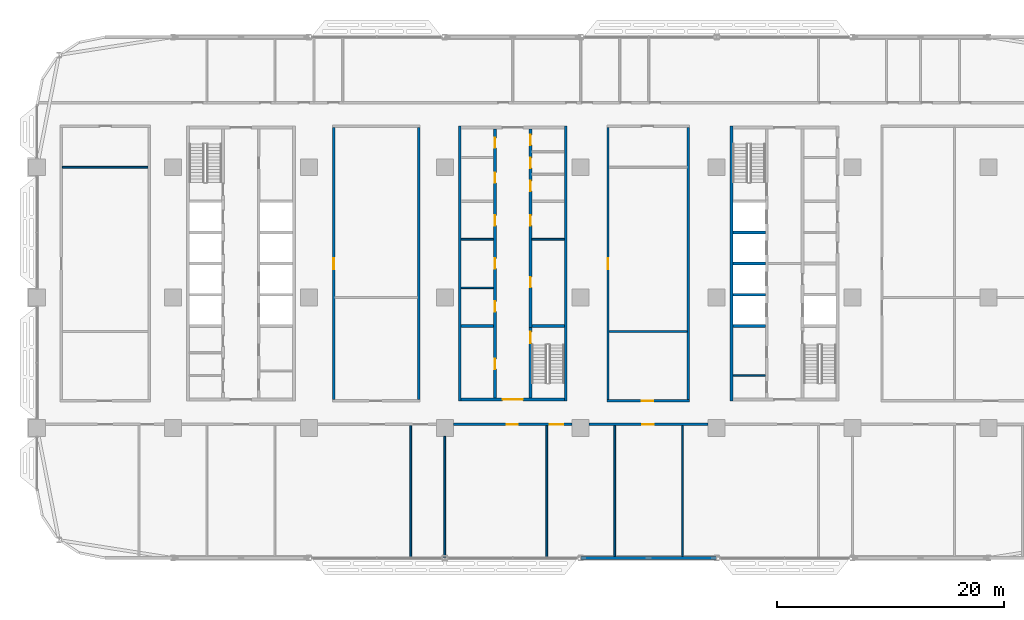
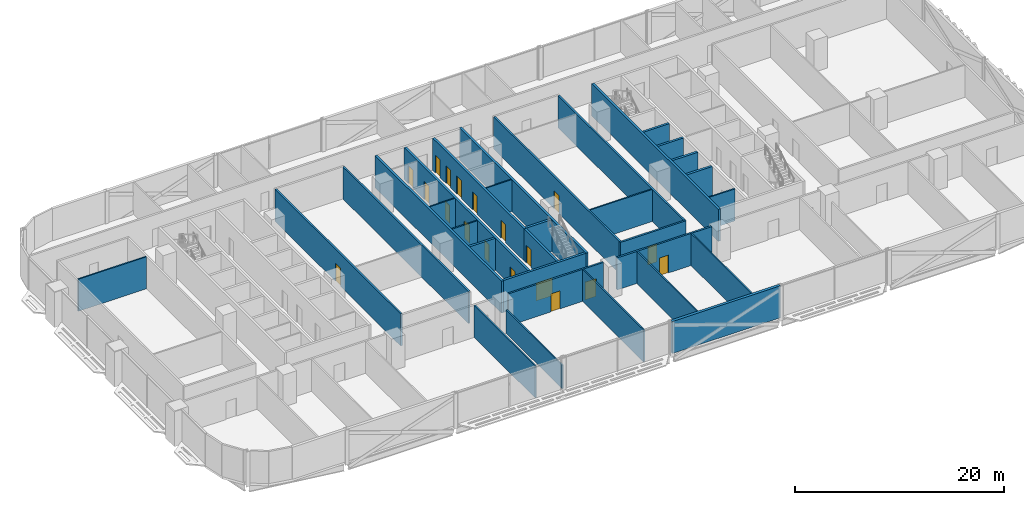
# One storey, part 13 of 29: 32 walls, 19 doors, 19 openings.
"""IFC4 building model written with IfcOpenShell, lengths in metres."""

from ifc_helpers import new_model, si_unit, direction, frame, frame_2d, origin, place, context, subcontext, project, spatial, rectangle, extrude, material, layer, layer_set, type_object, element, fill, save


model = new_model("IFC4")

# Units and contexts
model_context = context("Model", 3, precision=1e-05, world=origin(), true_north=direction((0.0, 1.0)))
body_context = subcontext(model_context, "Body", "Model", "MODEL_VIEW")
ifc_project = project(units=[si_unit("LENGTHUNIT", "METRE"), si_unit("AREAUNIT", "SQUARE_METRE"), si_unit("VOLUMEUNIT", "CUBIC_METRE"), si_unit("PLANEANGLEUNIT", "RADIAN"), si_unit("MASSUNIT", "GRAM", prefix="KILO")], contexts=[model_context])

# Site, building, storey
site_placement = place(None, origin())
site = spatial("IfcSite", under=ifc_project, at=site_placement, CompositionType="ELEMENT")
building_placement = place(site_placement, origin())
building = spatial("IfcBuilding", under=site, at=building_placement, Name="Mahtab Terrace Research Tower", CompositionType="ELEMENT")
storey_placement = place(building_placement, frame((0.0, 0.0, 76.10009765625)))
storey = spatial("IfcBuildingStorey", under=building, at=storey_placement, Name="L17", CompositionType="ELEMENT", Elevation=76.10009765625)

# Walls
ifc_material_1 = material(Name="Gypsum board partition")
ifc_layer_1 = layer(ifc_material_1, 0.14990234375)
ifc_layer_set_1 = layer_set([ifc_layer_1], Name="Core partition 150")
wall_type_1 = type_object("IfcWallType", Name="Core partition 150", PredefinedType="PARTITIONING", material=ifc_layer_set_1)
for number, where, z_axis, x_axis, name in (
    (1, (-4.550048828125, 0.85009765625, 0.0), (0.0, 0.0, 1.0), (1.0, 0.0, 0.0), "Core wall B pWL-215"),
    (2, (-4.550048828125, 5.14990234375, 0.0), (0.0, 0.0, 1.0), (1.0, 0.0, 0.0), "Core wall B pWL215"),
    (3, (1.699951171875, 5.14990234375, 0.0), (0.0, 0.0, 1.0), (1.0, 0.0, 0.0), "Core wall B pEL215"),
    (4, (19.449951171875, -6.875, 0.0), (0.0, 0.0, 1.0), (1.0, 0.0, 0.0), "Core wall C pWS-988"),
):
    element("IfcWall", number, at=place(storey_placement, frame(where, z_axis=z_axis, x_axis=x_axis)), inside=storey, type_object=wall_type_1, Name=name, PredefinedType="PARTITIONING", context=body_context, shape_type="SweptSolid", body=[
        extrude(rectangle(XDim=2.85009765625, YDim=0.14990234375, at=frame_2d((1.425048828125, 0.0))), origin(), (0.0, 0.0, 1.0), 3.75),
    ])
ifc_material_2 = material(Name="Concrete C70/85", Category="concrete")
ifc_layer_2 = layer(ifc_material_2, 0.25)
ifc_layer_set_2 = layer_set([ifc_layer_2], Name="Core wall 250")
wall_type_2 = type_object("IfcWallType", Name="Core wall 250", PredefinedType="SOLIDWALL", material=ifc_layer_set_2)
for number, where, z_axis, x_axis, name in (
    (5, (-4.675048828125, 15.125, 0.0), (0.0, 0.0, 1.0), (0.0, -1.0, 0.0), "Core wall B outerW"),
    (6, (4.675048828125, -9.125, 0.0), (0.0, 0.0, 1.0), (0.0, 1.0, 0.0), "Core wall B outerE"),
):
    element("IfcWall", number, at=place(storey_placement, frame(where, z_axis=z_axis, x_axis=x_axis)), inside=storey, type_object=wall_type_2, Name=name, PredefinedType="SOLIDWALL", context=body_context, shape_type="SweptSolid", body=[
        extrude(rectangle(XDim=24.25, YDim=0.25, at=frame_2d((12.125, 0.0))), origin(), (0.0, 0.0, 1.0), 3.75),
    ])

# Wall, opening, door
wall_1_placement = place(storey_placement, frame((4.550048828125, -9.0, 0.0), z_axis=(0.0, 0.0, 1.0), x_axis=(-1.0, 0.0, 0.0)))
wall_1 = element("IfcWall", 7, at=wall_1_placement, inside=storey, type_object=wall_type_2, Name="Core wall B endS", PredefinedType="SOLIDWALL", context=body_context, shape_type="SweptSolid", body=[
    extrude(rectangle(XDim=9.10009765625, YDim=0.25, at=frame_2d((4.550048828125, 0.0))), origin(), (0.0, 0.0, 1.0), 3.75),
])
opening_1_placement = place(wall_1_placement, frame((3.64990234375, 0.0, 0.0)))
opening_1 = element("IfcOpeningElement", 8, at=opening_1_placement, cuts=wall_1, Name="Opening B-S1", PredefinedType="OPENING", context=body_context, shape_type="SweptSolid", body=[
    extrude(rectangle(XDim=1.800048828125, YDim=2.10009765625, at=frame_2d((0.89990234375, 1.050048828125))), frame((0.0, 0.135009765625, 0.0), z_axis=(0.0, -1.0, 0.0), x_axis=(1.0, 0.0, 0.0)), (0.0, 0.0, 1.0), 0.27001953125),
])
ifc_material_3 = material(Name="Steel fire door", Category="steel")
door_type_1 = type_object("IfcDoorType", Name="Lobby double door 1800x2100 1 HR", OperationType="DOUBLE_DOOR_SINGLE_SWING", PredefinedType="DOOR", material=ifc_material_3)
door_1_placement = place(opening_1_placement, origin())
door_1 = element("IfcDoor", 9, at=door_1_placement, inside=storey, type_object=door_type_1, Name="Core entrance door B S", OperationType="DOUBLE_DOOR_SINGLE_SWING", OverallHeight=2.10009765625, OverallWidth=1.800048828125, PredefinedType="DOOR", context=body_context, shape_type="SweptSolid", body=[
    extrude(rectangle(XDim=1.800048828125, YDim=2.10009765625, at=frame_2d((0.89990234375, 1.050048828125))), frame((0.0, 0.02490234375, 0.0), z_axis=(0.0, -1.0, 0.0), x_axis=(1.0, 0.0, 0.0)), (0.0, 0.0, 1.0), 0.050048828125),
])
fill(opening_1, door_1)

# Wall, openings, doors
wall_2_placement = place(storey_placement, frame((-1.574951171875, -8.875, 0.0), z_axis=(0.0, 0.0, 1.0), x_axis=(0.0, 1.0, 0.0)))
wall_2 = element("IfcWall", 10, at=wall_2_placement, inside=storey, type_object=wall_type_2, Name="Core wall B innerWSLN", PredefinedType="SOLIDWALL", context=body_context, shape_type="SweptSolid", body=[
    extrude(rectangle(XDim=23.75, YDim=0.25, at=frame_2d((11.875, 0.0))), origin(), (0.0, 0.0, 1.0), 3.75),
])
opening_2_placement = place(wall_2_placement, frame((7.625, 0.0, 0.0)))
opening_2 = element("IfcOpeningElement", 11, at=opening_2_placement, cuts=wall_2, Name="Opening B-R1", PredefinedType="OPENING", context=body_context, shape_type="SweptSolid", body=[
    extrude(rectangle(XDim=0.89990234375, YDim=2.10009765625, at=frame_2d((0.449951171875, 1.050048828125))), frame((0.0, 0.135009765625, 0.0), z_axis=(0.0, -1.0, 0.0), x_axis=(1.0, 0.0, 0.0)), (0.0, 0.0, 1.0), 0.27001953125),
])
opening_3_placement = place(wall_2_placement, frame((11.425048828125, 0.0, 0.0)))
opening_3 = element("IfcOpeningElement", 12, at=opening_3_placement, cuts=wall_2, Name="Opening B-R2", PredefinedType="OPENING", context=body_context, shape_type="SweptSolid", body=[
    extrude(rectangle(XDim=0.89990234375, YDim=2.10009765625, at=frame_2d((0.449951171875, 1.050048828125))), frame((0.0, 0.135009765625, 0.0), z_axis=(0.0, -1.0, 0.0), x_axis=(1.0, 0.0, 0.0)), (0.0, 0.0, 1.0), 0.27001953125),
])
opening_4_placement = place(wall_2_placement, frame((15.22509765625, 0.0, 0.0)))
opening_4 = element("IfcOpeningElement", 13, at=opening_4_placement, cuts=wall_2, Name="Opening B-R3", PredefinedType="OPENING", context=body_context, shape_type="SweptSolid", body=[
    extrude(rectangle(XDim=0.89990234375, YDim=2.10009765625, at=frame_2d((0.449951171875, 1.050048828125))), frame((0.0, 0.135009765625, 0.0), z_axis=(0.0, -1.0, 0.0), x_axis=(1.0, 0.0, 0.0)), (0.0, 0.0, 1.0), 0.27001953125),
])
opening_5_placement = place(wall_2_placement, frame((2.550048828125, 0.0, 0.0)))
opening_5 = element("IfcOpeningElement", 14, at=opening_5_placement, cuts=wall_2, Name="Opening B-R6", PredefinedType="OPENING", context=body_context, shape_type="SweptSolid", body=[
    extrude(rectangle(XDim=0.89990234375, YDim=2.10009765625, at=frame_2d((0.449951171875, 1.050048828125))), frame((0.0, 0.135009765625, 0.0), z_axis=(0.0, -1.0, 0.0), x_axis=(1.0, 0.0, 0.0)), (0.0, 0.0, 1.0), 0.27001953125),
])
opening_6_placement = place(wall_2_placement, frame((19.00244140625, 0.0, 0.0)))
opening_6 = element("IfcOpeningElement", 15, at=opening_6_placement, cuts=wall_2, Name="Opening B-R7", PredefinedType="OPENING", context=body_context, shape_type="SweptSolid", body=[
    extrude(rectangle(XDim=0.89990234375, YDim=2.10009765625, at=frame_2d((0.449951171875, 1.050048828125))), frame((0.0, 0.135009765625, 0.0), z_axis=(0.0, -1.0, 0.0), x_axis=(1.0, 0.0, 0.0)), (0.0, 0.0, 1.0), 0.27001953125),
])
opening_7_placement = place(wall_2_placement, frame((22.077392578125, 0.0, 0.0)))
opening_7 = element("IfcOpeningElement", 16, at=opening_7_placement, cuts=wall_2, Name="Opening B-R8", PredefinedType="OPENING", context=body_context, shape_type="SweptSolid", body=[
    extrude(rectangle(XDim=0.89990234375, YDim=2.10009765625, at=frame_2d((0.449951171875, 1.050048828125))), frame((0.0, 0.135009765625, 0.0), z_axis=(0.0, -1.0, 0.0), x_axis=(1.0, 0.0, 0.0)), (0.0, 0.0, 1.0), 0.27001953125),
])
door_type_2 = type_object("IfcDoorType", Name="Room door 900x2100 1 HR", OperationType="NOTDEFINED", PredefinedType="DOOR", material=ifc_material_3)
door_2_placement = place(opening_2_placement, origin())
door_2 = element("IfcDoor", 17, at=door_2_placement, inside=storey, type_object=door_type_2, Name="Electrical room door", OperationType="SINGLE_SWING_LEFT", OverallHeight=2.10009765625, OverallWidth=0.89990234375, PredefinedType="DOOR", context=body_context, shape_type="SweptSolid", body=[
    extrude(rectangle(XDim=0.89990234375, YDim=2.10009765625, at=frame_2d((0.449951171875, 1.050048828125))), frame((0.0, 0.02490234375, 0.0), z_axis=(0.0, -1.0, 0.0), x_axis=(1.0, 0.0, 0.0)), (0.0, 0.0, 1.0), 0.050048828125),
])
fill(opening_2, door_2)
door_3_placement = place(opening_3_placement, origin())
door_3 = element("IfcDoor", 18, at=door_3_placement, inside=storey, type_object=door_type_2, Name="Pantry door", OperationType="SINGLE_SWING_RIGHT", OverallHeight=2.10009765625, OverallWidth=0.89990234375, PredefinedType="DOOR", context=body_context, shape_type="SweptSolid", body=[
    extrude(rectangle(XDim=0.89990234375, YDim=2.10009765625, at=frame_2d((0.449951171875, 1.050048828125))), frame((0.0, 0.02490234375, 0.0), z_axis=(0.0, -1.0, 0.0), x_axis=(1.0, 0.0, 0.0)), (0.0, 0.0, 1.0), 0.050048828125),
])
fill(opening_3, door_3)
door_4_placement = place(opening_4_placement, origin())
door_4 = element("IfcDoor", 19, at=door_4_placement, inside=storey, type_object=door_type_2, Name="Housekeeping store door", OperationType="SINGLE_SWING_LEFT", OverallHeight=2.10009765625, OverallWidth=0.89990234375, PredefinedType="DOOR", context=body_context, shape_type="SweptSolid", body=[
    extrude(rectangle(XDim=0.89990234375, YDim=2.10009765625, at=frame_2d((0.449951171875, 1.050048828125))), frame((0.0, 0.02490234375, 0.0), z_axis=(0.0, -1.0, 0.0), x_axis=(1.0, 0.0, 0.0)), (0.0, 0.0, 1.0), 0.050048828125),
])
fill(opening_4, door_4)
door_5_placement = place(opening_5_placement, origin())
door_5 = element("IfcDoor", 20, at=door_5_placement, inside=storey, type_object=door_type_2, Name="Gas cylinder store door", OperationType="SINGLE_SWING_RIGHT", OverallHeight=2.10009765625, OverallWidth=0.89990234375, PredefinedType="DOOR", context=body_context, shape_type="SweptSolid", body=[
    extrude(rectangle(XDim=0.89990234375, YDim=2.10009765625, at=frame_2d((0.449951171875, 1.050048828125))), frame((0.0, 0.02490234375, 0.0), z_axis=(0.0, -1.0, 0.0), x_axis=(1.0, 0.0, 0.0)), (0.0, 0.0, 1.0), 0.050048828125),
])
fill(opening_5, door_5)
door_6_placement = place(opening_6_placement, origin())
door_6 = element("IfcDoor", 21, at=door_6_placement, inside=storey, type_object=door_type_2, Name="Pantry door", OperationType="SINGLE_SWING_LEFT", OverallHeight=2.10009765625, OverallWidth=0.89990234375, PredefinedType="DOOR", context=body_context, shape_type="SweptSolid", body=[
    extrude(rectangle(XDim=0.89990234375, YDim=2.10009765625, at=frame_2d((0.449951171875, 1.050048828125))), frame((0.0, 0.02490234375, 0.0), z_axis=(0.0, -1.0, 0.0), x_axis=(1.0, 0.0, 0.0)), (0.0, 0.0, 1.0), 0.050048828125),
])
fill(opening_6, door_6)
door_7_placement = place(opening_7_placement, origin())
door_7 = element("IfcDoor", 22, at=door_7_placement, inside=storey, type_object=door_type_2, Name="Linen store door", OperationType="SINGLE_SWING_RIGHT", OverallHeight=2.10009765625, OverallWidth=0.89990234375, PredefinedType="DOOR", context=body_context, shape_type="SweptSolid", body=[
    extrude(rectangle(XDim=0.89990234375, YDim=2.10009765625, at=frame_2d((0.449951171875, 1.050048828125))), frame((0.0, 0.02490234375, 0.0), z_axis=(0.0, -1.0, 0.0), x_axis=(1.0, 0.0, 0.0)), (0.0, 0.0, 1.0), 0.050048828125),
])
fill(opening_7, door_7)

# Wall, opening, door
wall_3_placement = place(storey_placement, frame((1.574951171875, -8.875, 0.0), z_axis=(0.0, 0.0, 1.0), x_axis=(0.0, 1.0, 0.0)))
wall_3 = element("IfcWall", 23, at=wall_3_placement, inside=storey, type_object=wall_type_2, Name="Core wall B innerES", PredefinedType="SOLIDWALL", context=body_context, shape_type="SweptSolid", body=[
    extrude(rectangle(XDim=6.25, YDim=0.25, at=frame_2d((3.125, 0.0))), origin(), (0.0, 0.0, 1.0), 3.75),
])
opening_8_placement = place(wall_3_placement, frame((4.85009765625, 0.0, 0.0)))
opening_8 = element("IfcOpeningElement", 24, at=opening_8_placement, cuts=wall_3, Name="Opening B-ST2", PredefinedType="OPENING", context=body_context, shape_type="SweptSolid", body=[
    extrude(rectangle(XDim=1.0, YDim=2.10009765625, at=frame_2d((0.5, 1.050048828125))), frame((0.0, 0.135009765625, 0.0), z_axis=(0.0, -1.0, 0.0), x_axis=(1.0, 0.0, 0.0)), (0.0, 0.0, 1.0), 0.27001953125),
])
door_type_3 = type_object("IfcDoorType", Name="Stair door 1000x2100 1.5 HR", OperationType="NOTDEFINED", PredefinedType="DOOR", material=ifc_material_3)
door_8_placement = place(opening_8_placement, origin())
door_8 = element("IfcDoor", 25, at=door_8_placement, inside=storey, type_object=door_type_3, Name="Stair door ST2 L17", OperationType="SINGLE_SWING_RIGHT", OverallHeight=2.10009765625, OverallWidth=1.0, PredefinedType="DOOR", context=body_context, shape_type="SweptSolid", body=[
    extrude(rectangle(XDim=1.0, YDim=2.10009765625, at=frame_2d((0.5, 1.050048828125))), frame((0.0, 0.02490234375, 0.0), z_axis=(0.0, -1.0, 0.0), x_axis=(1.0, 0.0, 0.0)), (0.0, 0.0, 1.0), 0.050048828125),
])
fill(opening_8, door_8)

# Wall, openings, doors
wall_4_placement = place(storey_placement, frame((1.574951171875, 14.875, 0.0), z_axis=(0.0, 0.0, 1.0), x_axis=(0.0, -1.0, 0.0)))
wall_4 = element("IfcWall", 26, at=wall_4_placement, inside=storey, type_object=wall_type_2, Name="Core wall B innerELN", PredefinedType="SOLIDWALL", context=body_context, shape_type="SweptSolid", body=[
    extrude(rectangle(XDim=17.5, YDim=0.25, at=frame_2d((8.75, 0.0))), origin(), (0.0, 0.0, 1.0), 3.75),
])
opening_9_placement = place(wall_4_placement, frame((13.074951171875, 0.0, 0.0)))
opening_9 = element("IfcOpeningElement", 27, at=opening_9_placement, cuts=wall_4, Name="Opening B-R4", PredefinedType="OPENING", context=body_context, shape_type="SweptSolid", body=[
    extrude(rectangle(XDim=0.89990234375, YDim=2.10009765625, at=frame_2d((0.449951171875, 1.050048828125))), frame((0.0, 0.135009765625, 0.0), z_axis=(0.0, -1.0, 0.0), x_axis=(1.0, 0.0, 0.0)), (0.0, 0.0, 1.0), 0.27001953125),
])
opening_10_placement = place(wall_4_placement, frame((7.625, 0.0, 0.0)))
opening_10 = element("IfcOpeningElement", 28, at=opening_10_placement, cuts=wall_4, Name="Opening B-R5", PredefinedType="OPENING", context=body_context, shape_type="SweptSolid", body=[
    extrude(rectangle(XDim=0.89990234375, YDim=2.10009765625, at=frame_2d((0.449951171875, 1.050048828125))), frame((0.0, 0.135009765625, 0.0), z_axis=(0.0, -1.0, 0.0), x_axis=(1.0, 0.0, 0.0)), (0.0, 0.0, 1.0), 0.27001953125),
])
opening_11_placement = place(wall_4_placement, frame((4.58740234375, 0.0, 0.0)))
opening_11 = element("IfcOpeningElement", 29, at=opening_11_placement, cuts=wall_4, Name="Opening B-R9", PredefinedType="OPENING", context=body_context, shape_type="SweptSolid", body=[
    extrude(rectangle(XDim=0.89990234375, YDim=2.10009765625, at=frame_2d((0.449951171875, 1.050048828125))), frame((0.0, 0.135009765625, 0.0), z_axis=(0.0, -1.0, 0.0), x_axis=(1.0, 0.0, 0.0)), (0.0, 0.0, 1.0), 0.27001953125),
])
opening_12_placement = place(wall_4_placement, frame((2.550048828125, 0.0, 0.0)))
opening_12 = element("IfcOpeningElement", 30, at=opening_12_placement, cuts=wall_4, Name="Opening B-R10", PredefinedType="OPENING", context=body_context, shape_type="SweptSolid", body=[
    extrude(rectangle(XDim=0.89990234375, YDim=2.10009765625, at=frame_2d((0.449951171875, 1.050048828125))), frame((0.0, 0.135009765625, 0.0), z_axis=(0.0, -1.0, 0.0), x_axis=(1.0, 0.0, 0.0)), (0.0, 0.0, 1.0), 0.27001953125),
])
opening_13_placement = place(wall_4_placement, frame((0.512451171875, 0.0, 0.0)))
opening_13 = element("IfcOpeningElement", 31, at=opening_13_placement, cuts=wall_4, Name="Opening B-R11", PredefinedType="OPENING", context=body_context, shape_type="SweptSolid", body=[
    extrude(rectangle(XDim=0.89990234375, YDim=2.10009765625, at=frame_2d((0.449951171875, 1.050048828125))), frame((0.0, 0.135009765625, 0.0), z_axis=(0.0, -1.0, 0.0), x_axis=(1.0, 0.0, 0.0)), (0.0, 0.0, 1.0), 0.27001953125),
])
door_9_placement = place(opening_9_placement, origin())
door_9 = element("IfcDoor", 32, at=door_9_placement, inside=storey, type_object=door_type_2, Name="Chemical store door", OperationType="SINGLE_SWING_RIGHT", OverallHeight=2.10009765625, OverallWidth=0.89990234375, PredefinedType="DOOR", context=body_context, shape_type="SweptSolid", body=[
    extrude(rectangle(XDim=0.89990234375, YDim=2.10009765625, at=frame_2d((0.449951171875, 1.050048828125))), frame((0.0, 0.02490234375, 0.0), z_axis=(0.0, -1.0, 0.0), x_axis=(1.0, 0.0, 0.0)), (0.0, 0.0, 1.0), 0.050048828125),
])
fill(opening_9, door_9)
door_10_placement = place(opening_10_placement, origin())
door_10 = element("IfcDoor", 33, at=door_10_placement, inside=storey, type_object=door_type_2, Name="Waste room door", OperationType="SINGLE_SWING_LEFT", OverallHeight=2.10009765625, OverallWidth=0.89990234375, PredefinedType="DOOR", context=body_context, shape_type="SweptSolid", body=[
    extrude(rectangle(XDim=0.89990234375, YDim=2.10009765625, at=frame_2d((0.449951171875, 1.050048828125))), frame((0.0, 0.02490234375, 0.0), z_axis=(0.0, -1.0, 0.0), x_axis=(1.0, 0.0, 0.0)), (0.0, 0.0, 1.0), 0.050048828125),
])
fill(opening_10, door_10)
door_11_placement = place(opening_11_placement, origin())
door_11 = element("IfcDoor", 34, at=door_11_placement, inside=storey, type_object=door_type_2, Name="Male WC door", OperationType="SINGLE_SWING_LEFT", OverallHeight=2.10009765625, OverallWidth=0.89990234375, PredefinedType="DOOR", context=body_context, shape_type="SweptSolid", body=[
    extrude(rectangle(XDim=0.89990234375, YDim=2.10009765625, at=frame_2d((0.449951171875, 1.050048828125))), frame((0.0, 0.02490234375, 0.0), z_axis=(0.0, -1.0, 0.0), x_axis=(1.0, 0.0, 0.0)), (0.0, 0.0, 1.0), 0.050048828125),
])
fill(opening_11, door_11)
door_12_placement = place(opening_12_placement, origin())
door_12 = element("IfcDoor", 35, at=door_12_placement, inside=storey, type_object=door_type_2, Name="Female WC door", OperationType="SINGLE_SWING_RIGHT", OverallHeight=2.10009765625, OverallWidth=0.89990234375, PredefinedType="DOOR", context=body_context, shape_type="SweptSolid", body=[
    extrude(rectangle(XDim=0.89990234375, YDim=2.10009765625, at=frame_2d((0.449951171875, 1.050048828125))), frame((0.0, 0.02490234375, 0.0), z_axis=(0.0, -1.0, 0.0), x_axis=(1.0, 0.0, 0.0)), (0.0, 0.0, 1.0), 0.050048828125),
])
fill(opening_12, door_12)
door_13_placement = place(opening_13_placement, origin())
door_13 = element("IfcDoor", 36, at=door_13_placement, inside=storey, type_object=door_type_2, Name="Accessible WC door", OperationType="SINGLE_SWING_LEFT", OverallHeight=2.10009765625, OverallWidth=0.89990234375, PredefinedType="DOOR", context=body_context, shape_type="SweptSolid", body=[
    extrude(rectangle(XDim=0.89990234375, YDim=2.10009765625, at=frame_2d((0.449951171875, 1.050048828125))), frame((0.0, 0.02490234375, 0.0), z_axis=(0.0, -1.0, 0.0), x_axis=(1.0, 0.0, 0.0)), (0.0, 0.0, 1.0), 0.050048828125),
])
fill(opening_13, door_13)

# Walls
for number, where, z_axis, x_axis, name in (
    (37, (-4.550048828125, -2.5, 0.0), (0.0, 0.0, 1.0), (1.0, 0.0, 0.0), "Core wall B divW0"),
    (38, (1.699951171875, -2.5, 0.0), (0.0, 0.0, 1.0), (1.0, 0.0, 0.0), "Core wall B divE0"),
):
    element("IfcWall", number, at=place(storey_placement, frame(where, z_axis=z_axis, x_axis=x_axis)), inside=storey, type_object=wall_type_2, Name=name, PredefinedType="SOLIDWALL", context=body_context, shape_type="SweptSolid", body=[
        extrude(rectangle(XDim=2.85009765625, YDim=0.25, at=frame_2d((1.425048828125, 0.0))), origin(), (0.0, 0.0, 1.0), 3.75),
    ])
wall_5_placement = place(storey_placement, frame((19.324951171875, 15.125, 0.0), z_axis=(0.0, 0.0, 1.0), x_axis=(0.0, -1.0, 0.0)))
element("IfcWall", 39, at=wall_5_placement, inside=storey, type_object=wall_type_2, Name="Core wall C outerW", PredefinedType="SOLIDWALL", context=body_context, shape_type="SweptSolid", body=[
    extrude(rectangle(XDim=24.25, YDim=0.25, at=frame_2d((12.125, 0.0))), origin(), (0.0, 0.0, 1.0), 3.75),
])
for number, where, z_axis, x_axis, name in (
    (40, (19.449951171875, -2.5, 0.0), (0.0, 0.0, 1.0), (1.0, 0.0, 0.0), "Core wall C divW0"),
    (41, (19.449951171875, 0.25, 0.0), (0.0, 0.0, 1.0), (1.0, 0.0, 0.0), "Core wall C divW1"),
    (42, (19.449951171875, 3.0, 0.0), (0.0, 0.0, 1.0), (1.0, 0.0, 0.0), "Core wall C divW2"),
    (43, (19.449951171875, 5.75, 0.0), (0.0, 0.0, 1.0), (1.0, 0.0, 0.0), "Core wall C divW3"),
):
    element("IfcWall", number, at=place(storey_placement, frame(where, z_axis=z_axis, x_axis=x_axis)), inside=storey, type_object=wall_type_2, Name=name, PredefinedType="SOLIDWALL", context=body_context, shape_type="SweptSolid", body=[
        extrude(rectangle(XDim=2.85009765625, YDim=0.25, at=frame_2d((1.425048828125, 0.0))), origin(), (0.0, 0.0, 1.0), 3.75),
    ])
ifc_material_4 = material(Name="Black aluminium cladding panel", Category="aluminium")
ifc_layer_3 = layer(ifc_material_4, 0.300048828125)
ifc_layer_set_3 = layer_set([ifc_layer_3], Name="Opaque facade wall 300")
wall_type_3 = type_object("IfcWallType", Name="Opaque facade wall 300", PredefinedType="NOTDEFINED", material=ifc_layer_set_3)
wall_6_placement = place(storey_placement, frame((6.02392578125, -23.0, 0.0), z_axis=(0.0, 0.0, 1.0), x_axis=(1.0, 0.0, 0.0)))
element("IfcWall", 44, at=wall_6_placement, inside=storey, type_object=wall_type_3, Name="Opaque facade wall L17 S27", PredefinedType="NOTDEFINED", context=body_context, shape_type="SweptSolid", body=[
    extrude(rectangle(XDim=11.9521484375, YDim=0.300048828125, at=frame_2d((5.97607421875, 0.0))), origin(), (0.0, 0.0, 1.0), 3.75),
])

# Wall, openings, doors
ifc_material_5 = material(Name="Gypsum board corridor wall on steel studs", Category="steel")
ifc_layer_4 = layer(ifc_material_5, 0.199951171875)
ifc_layer_set_4 = layer_set([ifc_layer_4], Name="WALL CORRIDOR 200")
wall_type_4 = type_object("IfcWallType", Name="WALL CORRIDOR 200", PredefinedType="PARTITIONING", material=ifc_layer_set_4)
wall_7_placement = place(storey_placement, frame((-5.25, -11.199951171875, 0.0), z_axis=(0.0, 0.0, 1.0), x_axis=(1.0, 0.0, 0.0)))
wall_7 = element("IfcWall", 45, at=wall_7_placement, inside=storey, type_object=wall_type_4, Name="L17-W004", PredefinedType="PARTITIONING", context=body_context, shape_type="SweptSolid", body=[
    extrude(rectangle(XDim=10.5, YDim=0.199951171875, at=frame_2d((5.25, 0.0))), origin(), (0.0, 0.0, 1.0), 3.75),
])
opening_14_placement = place(wall_7_placement, frame((4.699951171875, 0.0, 0.0)))
opening_14 = element("IfcOpeningElement", 46, at=opening_14_placement, cuts=wall_7, Name="Opening L17-106", PredefinedType="OPENING", context=body_context, shape_type="SweptSolid", body=[
    extrude(rectangle(XDim=1.0, YDim=2.10009765625, at=frame_2d((0.5, 1.050048828125))), frame((0.0, 0.10986328125, 0.0), z_axis=(0.0, -1.0, 0.0), x_axis=(1.0, 0.0, 0.0)), (0.0, 0.0, 1.0), 0.219970703125),
])
opening_15_placement = place(wall_7_placement, frame((8.5, 0.0, 0.0)))
opening_15 = element("IfcOpeningElement", 47, at=opening_15_placement, cuts=wall_7, Name="Opening L17-107", PredefinedType="OPENING", context=body_context, shape_type="SweptSolid", body=[
    extrude(rectangle(XDim=1.199951171875, YDim=2.10009765625, at=frame_2d((0.60009765625, 1.050048828125))), frame((0.0, 0.10986328125, 0.0), z_axis=(0.0, -1.0, 0.0), x_axis=(1.0, 0.0, 0.0)), (0.0, 0.0, 1.0), 0.219970703125),
])
ifc_material_6 = material(Name="Timber door leaf in steel frame", Category="steel")
door_type_4 = type_object("IfcDoorType", Name="DOOR 1000X2100 FD30S", OperationType="SINGLE_SWING_LEFT", PredefinedType="DOOR", material=ifc_material_6)
door_14_placement = place(opening_14_placement, origin())
door_14 = element("IfcDoor", 48, at=door_14_placement, inside=storey, type_object=door_type_4, Name="Door L17-106", OperationType="SINGLE_SWING_RIGHT", OverallHeight=2.10009765625, OverallWidth=1.0, PredefinedType="DOOR", context=body_context, shape_type="SweptSolid", body=[
    extrude(rectangle(XDim=1.0, YDim=2.10009765625, at=frame_2d((0.5, 1.050048828125))), frame((0.0, 0.02490234375, 0.0), z_axis=(0.0, -1.0, 0.0), x_axis=(1.0, 0.0, 0.0)), (0.0, 0.0, 1.0), 0.050048828125),
])
fill(opening_14, door_14)
door_type_5 = type_object("IfcDoorType", Name="DOOR 1200X2100 FD30S", OperationType="SINGLE_SWING_LEFT", PredefinedType="DOOR", material=ifc_material_6)
door_15_placement = place(opening_15_placement, origin())
door_15 = element("IfcDoor", 49, at=door_15_placement, inside=storey, type_object=door_type_5, Name="Door L17-107", OperationType="SINGLE_SWING_LEFT", OverallHeight=2.10009765625, OverallWidth=1.199951171875, PredefinedType="DOOR", context=body_context, shape_type="SweptSolid", body=[
    extrude(rectangle(XDim=1.199951171875, YDim=2.10009765625, at=frame_2d((0.60009765625, 1.050048828125))), frame((0.0, 0.02490234375, 0.0), z_axis=(0.0, -1.0, 0.0), x_axis=(1.0, 0.0, 0.0)), (0.0, 0.0, 1.0), 0.050048828125),
])
fill(opening_15, door_15)

# Wall, opening, door
wall_8_placement = place(storey_placement, frame((6.75, -11.199951171875, 0.0), z_axis=(0.0, 0.0, 1.0), x_axis=(1.0, 0.0, 0.0)))
wall_8 = element("IfcWall", 50, at=wall_8_placement, inside=storey, type_object=wall_type_4, Name="L17-W005", PredefinedType="PARTITIONING", context=body_context, shape_type="SweptSolid", body=[
    extrude(rectangle(XDim=10.5, YDim=0.199951171875, at=frame_2d((5.25, 0.0))), origin(), (0.0, 0.0, 1.0), 3.75),
])
opening_16_placement = place(wall_8_placement, frame((4.699951171875, 0.0, 0.0)))
opening_16 = element("IfcOpeningElement", 51, at=opening_16_placement, cuts=wall_8, Name="Opening L17-108", PredefinedType="OPENING", context=body_context, shape_type="SweptSolid", body=[
    extrude(rectangle(XDim=1.0, YDim=2.10009765625, at=frame_2d((0.5, 1.050048828125))), frame((0.0, 0.10986328125, 0.0), z_axis=(0.0, -1.0, 0.0), x_axis=(1.0, 0.0, 0.0)), (0.0, 0.0, 1.0), 0.219970703125),
])
door_16_placement = place(opening_16_placement, origin())
door_16 = element("IfcDoor", 52, at=door_16_placement, inside=storey, type_object=door_type_4, Name="Door L17-108", OperationType="SINGLE_SWING_RIGHT", OverallHeight=2.10009765625, OverallWidth=1.0, PredefinedType="DOOR", context=body_context, shape_type="SweptSolid", body=[
    extrude(rectangle(XDim=1.0, YDim=2.10009765625, at=frame_2d((0.5, 1.050048828125))), frame((0.0, 0.02490234375, 0.0), z_axis=(0.0, -1.0, 0.0), x_axis=(1.0, 0.0, 0.0)), (0.0, 0.0, 1.0), 0.050048828125),
])
fill(opening_16, door_16)

wall_9_placement = place(storey_placement, frame((8.300048828125, -9.125, 0.0), z_axis=(0.0, 0.0, 1.0), x_axis=(1.0, 0.0, 0.0)))
wall_9 = element("IfcWall", 53, at=wall_9_placement, inside=storey, type_object=wall_type_4, Name="L17-W011", PredefinedType="PARTITIONING", context=body_context, shape_type="SweptSolid", body=[
    extrude(rectangle(XDim=7.300048828125, YDim=0.199951171875, at=frame_2d((3.64990234375, 0.0))), origin(), (0.0, 0.0, 1.0), 3.75),
])
opening_17_placement = place(wall_9_placement, frame((3.10009765625, 0.0, 0.0)))
opening_17 = element("IfcOpeningElement", 54, at=opening_17_placement, cuts=wall_9, Name="Opening L17-115", PredefinedType="OPENING", context=body_context, shape_type="SweptSolid", body=[
    extrude(rectangle(XDim=1.0, YDim=2.10009765625, at=frame_2d((0.5, 1.050048828125))), frame((0.0, 0.10986328125, 0.0), z_axis=(0.0, -1.0, 0.0), x_axis=(1.0, 0.0, 0.0)), (0.0, 0.0, 1.0), 0.219970703125),
])
door_17_placement = place(opening_17_placement, origin())
door_17 = element("IfcDoor", 55, at=door_17_placement, inside=storey, type_object=door_type_4, Name="Door L17-115", OperationType="SINGLE_SWING_LEFT", OverallHeight=2.10009765625, OverallWidth=1.0, PredefinedType="DOOR", context=body_context, shape_type="SweptSolid", body=[
    extrude(rectangle(XDim=1.0, YDim=2.10009765625, at=frame_2d((0.5, 1.050048828125))), frame((0.0, 0.02490234375, 0.0), z_axis=(0.0, -1.0, 0.0), x_axis=(1.0, 0.0, 0.0)), (0.0, 0.0, 1.0), 0.050048828125),
])
fill(opening_17, door_17)

wall_10_placement = place(storey_placement, frame((-15.800048828125, -9.02490234375, 0.0), z_axis=(0.0, 0.0, 1.0), x_axis=(0.0, 1.0, 0.0)))
wall_10 = element("IfcWall", 56, at=wall_10_placement, inside=storey, type_object=wall_type_4, Name="L17-W033", PredefinedType="PARTITIONING", context=body_context, shape_type="SweptSolid", body=[
    extrude(rectangle(XDim=24.0498046875, YDim=0.199951171875, at=frame_2d((12.02490234375, 0.0))), origin(), (0.0, 0.0, 1.0), 3.75),
])
opening_18_placement = place(wall_10_placement, frame((11.5, 0.0, 0.0)))
opening_18 = element("IfcOpeningElement", 57, at=opening_18_placement, cuts=wall_10, Name="Opening L17-121", PredefinedType="OPENING", context=body_context, shape_type="SweptSolid", body=[
    extrude(rectangle(XDim=1.0, YDim=2.10009765625, at=frame_2d((0.5, 1.050048828125))), frame((0.0, 0.10986328125, 0.0), z_axis=(0.0, -1.0, 0.0), x_axis=(1.0, 0.0, 0.0)), (0.0, 0.0, 1.0), 0.219970703125),
])
door_18_placement = place(opening_18_placement, origin())
door_18 = element("IfcDoor", 58, at=door_18_placement, inside=storey, type_object=door_type_4, Name="Door L17-121", OperationType="SINGLE_SWING_RIGHT", OverallHeight=2.10009765625, OverallWidth=1.0, PredefinedType="DOOR", context=body_context, shape_type="SweptSolid", body=[
    extrude(rectangle(XDim=1.0, YDim=2.10009765625, at=frame_2d((0.5, 1.050048828125))), frame((0.0, 0.02490234375, 0.0), z_axis=(0.0, -1.0, 0.0), x_axis=(1.0, 0.0, 0.0)), (0.0, 0.0, 1.0), 0.050048828125),
])
fill(opening_18, door_18)

# Wall
wall_11_placement = place(storey_placement, frame((-8.300048828125, -9.02490234375, 0.0), z_axis=(0.0, 0.0, 1.0), x_axis=(0.0, 1.0, 0.0)))
element("IfcWall", 59, at=wall_11_placement, inside=storey, type_object=wall_type_4, Name="L17-W036", PredefinedType="PARTITIONING", context=body_context, shape_type="SweptSolid", body=[
    extrude(rectangle(XDim=24.0498046875, YDim=0.199951171875, at=frame_2d((12.02490234375, 0.0))), origin(), (0.0, 0.0, 1.0), 3.75),
])

# Wall, opening, door
wall_12_placement = place(storey_placement, frame((8.39990234375, -9.02490234375, 0.0), z_axis=(0.0, 0.0, 1.0), x_axis=(0.0, 1.0, 0.0)))
wall_12 = element("IfcWall", 60, at=wall_12_placement, inside=storey, type_object=wall_type_4, Name="L17-W041", PredefinedType="PARTITIONING", context=body_context, shape_type="SweptSolid", body=[
    extrude(rectangle(XDim=24.0498046875, YDim=0.199951171875, at=frame_2d((12.02490234375, 0.0))), origin(), (0.0, 0.0, 1.0), 3.75),
])
opening_19_placement = place(wall_12_placement, frame((11.5, 0.0, 0.0)))
opening_19 = element("IfcOpeningElement", 61, at=opening_19_placement, cuts=wall_12, Name="Opening L17-120", PredefinedType="OPENING", context=body_context, shape_type="SweptSolid", body=[
    extrude(rectangle(XDim=1.0, YDim=2.10009765625, at=frame_2d((0.5, 1.050048828125))), frame((0.0, 0.10986328125, 0.0), z_axis=(0.0, -1.0, 0.0), x_axis=(1.0, 0.0, 0.0)), (0.0, 0.0, 1.0), 0.219970703125),
])
door_19_placement = place(opening_19_placement, origin())
door_19 = element("IfcDoor", 62, at=door_19_placement, inside=storey, type_object=door_type_4, Name="Door L17-120", OperationType="SINGLE_SWING_RIGHT", OverallHeight=2.10009765625, OverallWidth=1.0, PredefinedType="DOOR", context=body_context, shape_type="SweptSolid", body=[
    extrude(rectangle(XDim=1.0, YDim=2.10009765625, at=frame_2d((0.5, 1.050048828125))), frame((0.0, 0.02490234375, 0.0), z_axis=(0.0, -1.0, 0.0), x_axis=(1.0, 0.0, 0.0)), (0.0, 0.0, 1.0), 0.050048828125),
])
fill(opening_19, door_19)

# Walls
wall_13_placement = place(storey_placement, frame((15.5, -9.02490234375, 0.0), z_axis=(0.0, 0.0, 1.0), x_axis=(0.0, 1.0, 0.0)))
element("IfcWall", 63, at=wall_13_placement, inside=storey, type_object=wall_type_4, Name="L17-W046", PredefinedType="PARTITIONING", context=body_context, shape_type="SweptSolid", body=[
    extrude(rectangle(XDim=24.0498046875, YDim=0.199951171875, at=frame_2d((12.02490234375, 0.0))), origin(), (0.0, 0.0, 1.0), 3.75),
])
ifc_material_7 = material(Name="Gypsum board partition on steel studs", Category="steel")
ifc_layer_5 = layer(ifc_material_7, 0.14990234375)
ifc_layer_set_5 = layer_set([ifc_layer_5], Name="WALL PARTITION 150")
wall_type_5 = type_object("IfcWallType", Name="WALL PARTITION 150", PredefinedType="PARTITIONING", material=ifc_layer_set_5)
wall_14_placement = place(storey_placement, frame((8.5, -3.0, 0.0), z_axis=(0.0, 0.0, 1.0), x_axis=(1.0, 0.0, 0.0)))
element("IfcWall", 64, at=wall_14_placement, inside=storey, type_object=wall_type_5, Name="L17-W014", PredefinedType="PARTITIONING", context=body_context, shape_type="SweptSolid", body=[
    extrude(rectangle(XDim=6.89990234375, YDim=0.14990234375, at=frame_2d((3.449951171875, 0.0))), origin(), (0.0, 0.0, 1.0), 3.75),
])
wall_15_placement = place(storey_placement, frame((-39.75, 11.5, 0.0), z_axis=(0.0, 0.0, 1.0), x_axis=(1.0, 0.0, 0.0)))
element("IfcWall", 65, at=wall_15_placement, inside=storey, type_object=wall_type_5, Name="L17-W018", PredefinedType="PARTITIONING", context=body_context, shape_type="SweptSolid", body=[
    extrude(rectangle(XDim=7.550048828125, YDim=0.14990234375, at=frame_2d((3.77490234375, 0.0))), origin(), (0.0, 0.0, 1.0), 3.75),
])
wall_16_placement = place(storey_placement, frame((-9.0, -22.97509765625, 0.0), z_axis=(0.0, 0.0, 1.0), x_axis=(0.0, 1.0, 0.0)))
element("IfcWall", 66, at=wall_16_placement, inside=storey, type_object=wall_type_5, Name="L17-W035", PredefinedType="PARTITIONING", context=body_context, shape_type="SweptSolid", body=[
    extrude(rectangle(XDim=11.675048828125, YDim=0.14990234375, at=frame_2d((5.83740234375, 0.0))), origin(), (0.0, 0.0, 1.0), 3.75),
])
wall_17_placement = place(storey_placement, frame((-6.0, -22.97509765625, 0.0), z_axis=(0.0, 0.0, 1.0), x_axis=(0.0, 1.0, 0.0)))
element("IfcWall", 67, at=wall_17_placement, inside=storey, type_object=wall_type_5, Name="L17-W037", PredefinedType="PARTITIONING", context=body_context, shape_type="SweptSolid", body=[
    extrude(rectangle(XDim=10.72509765625, YDim=0.14990234375, at=frame_2d((5.362548828125, 0.0))), origin(), (0.0, 0.0, 1.0), 2.751220703125),
])
wall_18_placement = place(storey_placement, frame((3.0, -22.97509765625, 0.0), z_axis=(0.0, 0.0, 1.0), x_axis=(0.0, 1.0, 0.0)))
element("IfcWall", 68, at=wall_18_placement, inside=storey, type_object=wall_type_5, Name="L17-W039", PredefinedType="PARTITIONING", context=body_context, shape_type="SweptSolid", body=[
    extrude(rectangle(XDim=11.675048828125, YDim=0.14990234375, at=frame_2d((5.83740234375, 0.0))), origin(), (0.0, 0.0, 1.0), 3.75),
])
for number, where, z_axis, x_axis, name in (
    (69, (9.0, -22.85009765625, 0.0), (0.0, 0.0, 1.0), (0.0, 1.0, 0.0), "L17-W042"),
    (70, (15.0, -22.85009765625, 0.0), (0.0, 0.0, 1.0), (0.0, 1.0, 0.0), "L17-W045"),
):
    element("IfcWall", number, at=place(storey_placement, frame(where, z_axis=z_axis, x_axis=x_axis)), inside=storey, type_object=wall_type_5, Name=name, PredefinedType="PARTITIONING", context=body_context, shape_type="SweptSolid", body=[
        extrude(rectangle(XDim=11.550048828125, YDim=0.14990234375, at=frame_2d((5.77490234375, 0.0))), origin(), (0.0, 0.0, 1.0), 3.75),
    ])

save(model, "model.ifc")
